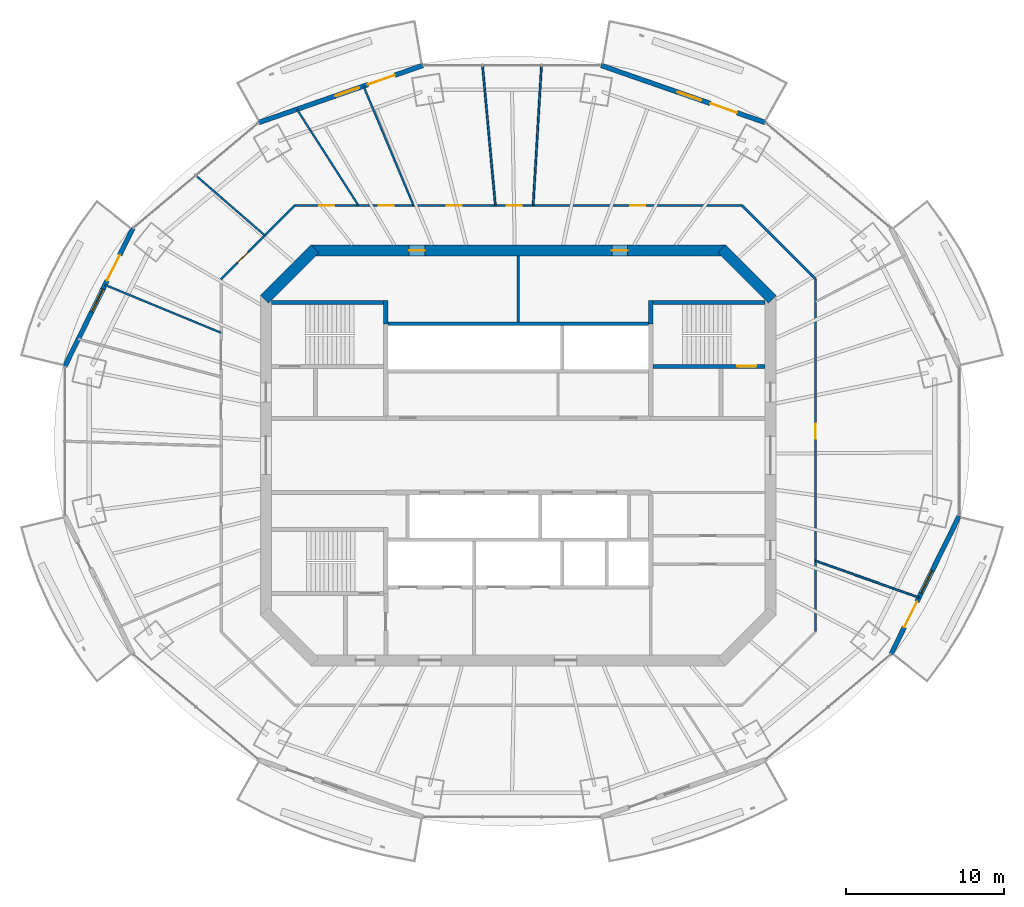
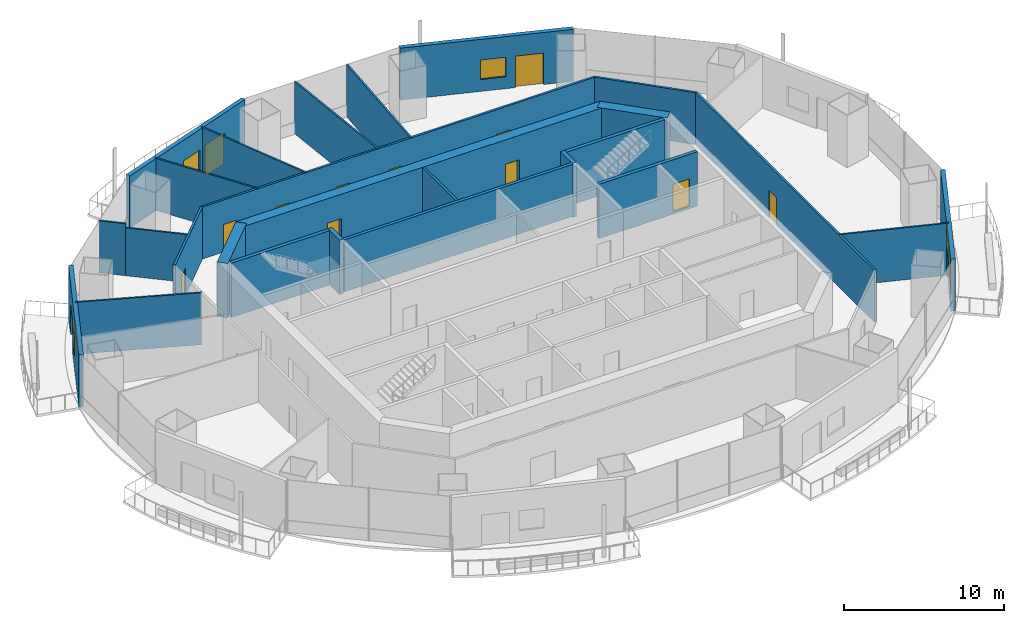
# One storey, part 10 of 16: 26 walls, 14 doors, 4 windows, 18 openings.
"""IFC4 building model written with IfcOpenShell, lengths in metres."""

from ifc_helpers import new_model, si_unit, direction, frame, frame_2d, origin, place, context, subcontext, project, spatial, rectangle, extrude, material, layer, layer_set, type_object, element, fill, save


model = new_model("IFC4")

# Units and contexts
model_context = context("Model", 3, precision=1e-05, world=origin(), true_north=direction((0.0, 1.0)))
body_context = subcontext(model_context, "Body", "Model", "MODEL_VIEW")
ifc_project = project(units=[si_unit("LENGTHUNIT", "METRE"), si_unit("AREAUNIT", "SQUARE_METRE"), si_unit("VOLUMEUNIT", "CUBIC_METRE"), si_unit("PLANEANGLEUNIT", "RADIAN"), si_unit("MASSUNIT", "GRAM", prefix="KILO")], contexts=[model_context])

# Site, building, storey
site_placement = place(None, origin())
site = spatial("IfcSite", under=ifc_project, at=site_placement, CompositionType="ELEMENT")
building_placement = place(site_placement, origin())
building = spatial("IfcBuilding", under=site, at=building_placement, Name="Marenthal Gate Tower", CompositionType="ELEMENT")
storey_placement = place(building_placement, frame((0.0, 0.0, 284.5)))
storey = spatial("IfcBuildingStorey", under=building, at=storey_placement, Name="L63", CompositionType="ELEMENT", Elevation=284.5)

# Wall
ifc_material_1 = material(Name="Concrete 60 MPa", Category="concrete")
ifc_layer_1 = layer(ifc_material_1, 0.699951171875)
ifc_layer_set_1 = layer_set([ifc_layer_1], Name="Core shear wall 700")
wall_type_1 = type_object("IfcWallType", Name="Core shear wall 700", PredefinedType="SHEAR", material=ifc_layer_set_1)
wall_1_placement = place(storey_placement, frame((16.1025390625, 9.8974609375, -0.179931640625), z_axis=(0.0, 0.0, 1.0), x_axis=(-0.707106781187, 0.707106781187, 0.0)))
element("IfcWall", 1, at=wall_1_placement, inside=storey, type_object=wall_type_1, Name="Core wall 03", PredefinedType="SHEAR", context=body_context, shape_type="SweptSolid", body=[
    extrude(rectangle(XDim=4.53271484375, YDim=0.699951171875, at=frame_2d((2.266357421875, 0.0))), origin(), (0.0, 0.0, 1.0), 4.14990234375),
])

# Wall, openings, doors
wall_2_placement = place(storey_placement, frame((13.14501953125, 13.0, -0.179931640625), z_axis=(0.0, 0.0, 1.0), x_axis=(-1.0, 0.0, 0.0)))
wall_2 = element("IfcWall", 2, at=wall_2_placement, inside=storey, type_object=wall_type_1, Name="Core wall 04", PredefinedType="SHEAR", context=body_context, shape_type="SweptSolid", body=[
    extrude(rectangle(XDim=26.2900390625, YDim=0.699951171875, at=frame_2d((13.14501953125, 0.0))), origin(), (0.0, 0.0, 1.0), 4.14990234375),
])
opening_1_placement = place(wall_2_placement, frame((19.07275390625, 0.0, 0.179931640625)))
opening_1 = element("IfcOpeningElement", 3, at=opening_1_placement, cuts=wall_2, Name="Opening D005.03", PredefinedType="OPENING", context=body_context, shape_type="SweptSolid", body=[
    extrude(rectangle(XDim=1.0, YDim=2.10009765625, at=frame_2d((0.5, 1.050048828125))), frame((0.0, 0.35986328125, 0.0), z_axis=(0.0, -1.0, 0.0), x_axis=(1.0, 0.0, 0.0)), (0.0, 0.0, 1.0), 0.719970703125),
])
opening_2_placement = place(wall_2_placement, frame((6.21728515625, 0.0, 0.179931640625)))
opening_2 = element("IfcOpeningElement", 4, at=opening_2_placement, cuts=wall_2, Name="Opening D005.04", PredefinedType="OPENING", context=body_context, shape_type="SweptSolid", body=[
    extrude(rectangle(XDim=1.0, YDim=2.10009765625, at=frame_2d((0.5, 1.050048828125))), frame((0.0, 0.35986328125, 0.0), z_axis=(0.0, -1.0, 0.0), x_axis=(1.0, 0.0, 0.0)), (0.0, 0.0, 1.0), 0.719970703125),
])
ifc_material_2 = material(Name="Steel fire door", Category="steel")
door_type_1 = type_object("IfcDoorType", Name="Fire door FD 45 1000 x 2100", OperationType="NOTDEFINED", PredefinedType="DOOR", material=ifc_material_2)
door_1_placement = place(opening_1_placement, origin())
door_1 = element("IfcDoor", 5, at=door_1_placement, inside=storey, type_object=door_type_1, Name="Door D005.03", OperationType="SINGLE_SWING_RIGHT", OverallHeight=2.10009765625, OverallWidth=1.0, PredefinedType="DOOR", context=body_context, shape_type="SweptSolid", body=[
    extrude(rectangle(XDim=1.0, YDim=2.10009765625, at=frame_2d((0.5, 1.050048828125))), frame((0.0, 0.02490234375, 0.0), z_axis=(0.0, -1.0, 0.0), x_axis=(1.0, 0.0, 0.0)), (0.0, 0.0, 1.0), 0.050048828125),
])
fill(opening_1, door_1)
door_2_placement = place(opening_2_placement, origin())
door_2 = element("IfcDoor", 6, at=door_2_placement, inside=storey, type_object=door_type_1, Name="Door D005.04", OperationType="SINGLE_SWING_RIGHT", OverallHeight=2.10009765625, OverallWidth=1.0, PredefinedType="DOOR", context=body_context, shape_type="SweptSolid", body=[
    extrude(rectangle(XDim=1.0, YDim=2.10009765625, at=frame_2d((0.5, 1.050048828125))), frame((0.0, 0.02490234375, 0.0), z_axis=(0.0, -1.0, 0.0), x_axis=(1.0, 0.0, 0.0)), (0.0, 0.0, 1.0), 0.050048828125),
])
fill(opening_2, door_2)

# Walls
wall_3_placement = place(storey_placement, frame((-12.8974609375, 13.1025390625, -0.179931640625), z_axis=(0.0, 0.0, 1.0), x_axis=(-0.707106781187, -0.707106781187, 0.0)))
element("IfcWall", 7, at=wall_3_placement, inside=storey, type_object=wall_type_1, Name="Core wall 05", PredefinedType="SHEAR", context=body_context, shape_type="SweptSolid", body=[
    extrude(rectangle(XDim=4.53271484375, YDim=0.699951171875, at=frame_2d((2.266357421875, 0.0))), origin(), (0.0, 0.0, 1.0), 4.14990234375),
])
ifc_material_3 = material(Name="Concrete 40 MPa", Category="concrete")
ifc_layer_2 = layer(ifc_material_3, 0.219970703125)
ifc_layer_set_2 = layer_set([ifc_layer_2], Name="Hoistway wall 220")
wall_type_2 = type_object("IfcWallType", Name="Hoistway wall 220", PredefinedType="STANDARD", material=ifc_layer_set_2)
wall_4_placement = place(storey_placement, frame((-8.25, 8.35009765625, 0.0), z_axis=(0.0, 0.0, 1.0), x_axis=(1.0, 0.0, 0.0)))
element("IfcWall", 8, at=wall_4_placement, inside=storey, type_object=wall_type_2, Name="Hoistway wall 25", PredefinedType="STANDARD", context=body_context, shape_type="SweptSolid", body=[
    extrude(rectangle(XDim=16.5, YDim=0.219970703125, at=frame_2d((8.25, 0.0))), origin(), (0.0, 0.0, 1.0), 3.969970703125),
])
ifc_material_4 = material(Name="Gypsum board on steel studs", Category="steel")
ifc_layer_3 = layer(ifc_material_4, 0.1201171875)
ifc_layer_set_3 = layer_set([ifc_layer_3], Name="Partition 120")
wall_type_3 = type_object("IfcWallType", Name="Partition 120", PredefinedType="PARTITIONING", material=ifc_layer_set_3)
wall_5_placement = place(storey_placement, frame((-18.85009765625, 7.776611328125, 0.0), z_axis=(0.0, 0.0, 1.0), x_axis=(-0.924418879756, 0.381378728759, 0.0)))
element("IfcWall", 9, at=wall_5_placement, inside=storey, type_object=wall_type_3, Name="Partition wall 53", PredefinedType="PARTITIONING", context=body_context, shape_type="SweptSolid", body=[
    extrude(rectangle(XDim=7.96484375, YDim=0.1201171875, at=frame_2d((3.982421875, 0.0))), origin(), (0.0, 0.0, 1.0), 3.969970703125),
])
wall_6_placement = place(storey_placement, frame((-16.076416015625, 13.9541015625, 0.0), z_axis=(0.0, 0.0, 1.0), x_axis=(-0.755226494758, 0.655463913283, 0.0)))
element("IfcWall", 10, at=wall_6_placement, inside=storey, type_object=wall_type_3, Name="Partition wall 55", PredefinedType="PARTITIONING", context=body_context, shape_type="SweptSolid", body=[
    extrude(rectangle(XDim=4.111328125, YDim=0.1201171875, at=frame_2d((2.0556640625, 0.0))), origin(), (0.0, 0.0, 1.0), 3.659912109375),
])
wall_7_placement = place(storey_placement, frame((-19.181396484375, 16.64892578125, 0.0), z_axis=(0.0, 0.0, 1.0), x_axis=(-0.755144367742, 0.655558528178, 0.0)))
element("IfcWall", 11, at=wall_7_placement, inside=storey, type_object=wall_type_3, Name="Partition wall 69", PredefinedType="PARTITIONING", context=body_context, shape_type="SweptSolid", body=[
    extrude(rectangle(XDim=1.686767578125, YDim=0.1201171875, at=frame_2d((0.84326171875, 0.0))), origin(), (0.0, 0.0, 1.0), 3.969970703125),
])
wall_8_placement = place(storey_placement, frame((-10.13720703125, 15.85009765625, 0.0), z_axis=(0.0, 0.0, 1.0), x_axis=(-0.538802115327, 0.84243235961, 0.0)))
element("IfcWall", 12, at=wall_8_placement, inside=storey, type_object=wall_type_3, Name="Partition wall 58", PredefinedType="PARTITIONING", context=body_context, shape_type="SweptSolid", body=[
    extrude(rectangle(XDim=7.2431640625, YDim=0.1201171875, at=frame_2d((3.62158203125, 0.0))), origin(), (0.0, 0.0, 1.0), 3.969970703125),
])
wall_9_placement = place(storey_placement, frame((-6.64501953125, 15.85009765625, 0.0), z_axis=(0.0, 0.0, 1.0), x_axis=(-0.386671197164, 0.92221764529, 0.0)))
element("IfcWall", 13, at=wall_9_placement, inside=storey, type_object=wall_type_3, Name="Partition wall 59", PredefinedType="PARTITIONING", context=body_context, shape_type="SweptSolid", body=[
    extrude(rectangle(XDim=8.209228515625, YDim=0.1201171875, at=frame_2d((4.1044921875, 0.0))), origin(), (0.0, 0.0, 1.0), 3.969970703125),
])
wall_10_placement = place(storey_placement, frame((-1.454833984375, 15.85009765625, 0.0), z_axis=(0.0, 0.0, 1.0), x_axis=(-0.091408981172, 0.995813435419, 0.0)))
element("IfcWall", 14, at=wall_10_placement, inside=storey, type_object=wall_type_3, Name="Partition wall 60", PredefinedType="PARTITIONING", context=body_context, shape_type="SweptSolid", body=[
    extrude(rectangle(XDim=8.92333984375, YDim=0.1201171875, at=frame_2d((4.461669921875, 0.0))), origin(), (0.0, 0.0, 1.0), 3.969970703125),
])
wall_11_placement = place(storey_placement, frame((0.942138671875, 15.85009765625, 0.0), z_axis=(0.0, 0.0, 1.0), x_axis=(0.059350641377, 0.998237196947, 0.0)))
element("IfcWall", 15, at=wall_11_placement, inside=storey, type_object=wall_type_3, Name="Partition wall 61", PredefinedType="PARTITIONING", context=body_context, shape_type="SweptSolid", body=[
    extrude(rectangle(XDim=8.901611328125, YDim=0.1201171875, at=frame_2d((4.45068359375, 0.0))), origin(), (0.0, 0.0, 1.0), 3.969970703125),
])
wall_12_placement = place(storey_placement, frame((18.85009765625, -6.686279296875, 0.0), z_axis=(0.0, 0.0, 1.0), x_axis=(0.942465522023, -0.334303364923, 0.0)))
element("IfcWall", 16, at=wall_12_placement, inside=storey, type_object=wall_type_3, Name="Partition wall 66", PredefinedType="PARTITIONING", context=body_context, shape_type="SweptSolid", body=[
    extrude(rectangle(XDim=6.96337890625, YDim=0.1201171875, at=frame_2d((3.481689453125, 0.0))), origin(), (0.0, 0.0, 1.0), 3.969970703125),
])
ifc_material_5 = material(Name="Gypsum board on steel studs", Category="steel")
ifc_layer_4 = layer(ifc_material_5, 0.14990234375)
ifc_layer_set_4 = layer_set([ifc_layer_4], Name="Partition 150")
wall_type_4 = type_object("IfcWallType", Name="Partition 150", PredefinedType="PARTITIONING", material=ifc_layer_set_4)
wall_13_placement = place(storey_placement, frame((0.0, 8.4599609375, 0.0), z_axis=(0.0, 0.0, 1.0), x_axis=(0.0, 1.0, 0.0)))
element("IfcWall", 17, at=wall_13_placement, inside=storey, type_object=wall_type_4, Name="Partition wall 37", PredefinedType="PARTITIONING", context=body_context, shape_type="SweptSolid", body=[
    extrude(rectangle(XDim=4.18994140625, YDim=0.14990234375, at=frame_2d((2.094970703125, 0.0))), origin(), (0.0, 0.0, 1.0), 3.969970703125),
])

# Wall, opening, door
wall_14_placement = place(storey_placement, frame((-18.85009765625, 11.180419921875, 0.0), z_axis=(0.0, 0.0, 1.0), x_axis=(0.707106781187, 0.707106781187, 0.0)))
wall_14 = element("IfcWall", 18, at=wall_14_placement, inside=storey, type_object=wall_type_4, Name="Partition wall 54", PredefinedType="PARTITIONING", context=body_context, shape_type="SweptSolid", body=[
    extrude(rectangle(XDim=6.60400390625, YDim=0.14990234375, at=frame_2d((3.302001953125, 0.0))), origin(), (0.0, 0.0, 1.0), 3.969970703125),
])
opening_3_placement = place(wall_14_placement, frame((1.486083984375, 0.0, 0.0)))
opening_3 = element("IfcOpeningElement", 19, at=opening_3_placement, cuts=wall_14, Name="Opening D016.06", PredefinedType="OPENING", context=body_context, shape_type="SweptSolid", body=[
    extrude(rectangle(XDim=0.949951171875, YDim=2.10009765625, at=frame_2d((0.47509765625, 1.050048828125))), frame((0.0, 0.0849609375, 0.0), z_axis=(0.0, -1.0, 0.0), x_axis=(1.0, 0.0, 0.0)), (0.0, 0.0, 1.0), 0.169921875),
])
ifc_material_6 = material(Name="Timber door", Category="wood")
door_type_2 = type_object("IfcDoorType", Name="Door 950 x 2100", OperationType="NOTDEFINED", PredefinedType="DOOR", material=ifc_material_6)
door_3_placement = place(opening_3_placement, origin())
door_3 = element("IfcDoor", 20, at=door_3_placement, inside=storey, type_object=door_type_2, Name="Door D016.06", OperationType="SINGLE_SWING_RIGHT", OverallHeight=2.10009765625, OverallWidth=0.949951171875, PredefinedType="DOOR", context=body_context, shape_type="SweptSolid", body=[
    extrude(rectangle(XDim=0.949951171875, YDim=2.10009765625, at=frame_2d((0.47509765625, 1.050048828125))), frame((0.0, 0.02490234375, 0.0), z_axis=(0.0, -1.0, 0.0), x_axis=(1.0, 0.0, 0.0)), (0.0, 0.0, 1.0), 0.050048828125),
])
fill(opening_3, door_3)

# Wall, openings, doors
wall_15_placement = place(storey_placement, frame((-14.180419921875, 15.85009765625, 0.0), z_axis=(0.0, 0.0, 1.0), x_axis=(1.0, 0.0, 0.0)))
wall_15 = element("IfcWall", 21, at=wall_15_placement, inside=storey, type_object=wall_type_4, Name="Partition wall 57", PredefinedType="PARTITIONING", context=body_context, shape_type="SweptSolid", body=[
    extrude(rectangle(XDim=28.36083984375, YDim=0.14990234375, at=frame_2d((14.180419921875, 0.0))), origin(), (0.0, 0.0, 1.0), 3.969970703125),
])
opening_4_placement = place(wall_15_placement, frame((21.26708984375, 0.0, 0.0)))
opening_4 = element("IfcOpeningElement", 22, at=opening_4_placement, cuts=wall_15, Name="Opening D016.01", PredefinedType="OPENING", context=body_context, shape_type="SweptSolid", body=[
    extrude(rectangle(XDim=0.949951171875, YDim=2.10009765625, at=frame_2d((0.47509765625, 1.050048828125))), frame((0.0, 0.0849609375, 0.0), z_axis=(0.0, -1.0, 0.0), x_axis=(1.0, 0.0, 0.0)), (0.0, 0.0, 1.0), 0.169921875),
])
opening_5_placement = place(wall_15_placement, frame((13.448974609375, 0.0, 0.0)))
opening_5 = element("IfcOpeningElement", 23, at=opening_5_placement, cuts=wall_15, Name="Opening D016.02", PredefinedType="OPENING", context=body_context, shape_type="SweptSolid", body=[
    extrude(rectangle(XDim=0.949951171875, YDim=2.10009765625, at=frame_2d((0.47509765625, 1.050048828125))), frame((0.0, 0.0849609375, 0.0), z_axis=(0.0, -1.0, 0.0), x_axis=(1.0, 0.0, 0.0)), (0.0, 0.0, 1.0), 0.169921875),
])
opening_6_placement = place(wall_15_placement, frame((9.655029296875, 0.0, 0.0)))
opening_6 = element("IfcOpeningElement", 24, at=opening_6_placement, cuts=wall_15, Name="Opening D016.03", PredefinedType="OPENING", context=body_context, shape_type="SweptSolid", body=[
    extrude(rectangle(XDim=0.949951171875, YDim=2.10009765625, at=frame_2d((0.47509765625, 1.050048828125))), frame((0.0, 0.0849609375, 0.0), z_axis=(0.0, -1.0, 0.0), x_axis=(1.0, 0.0, 0.0)), (0.0, 0.0, 1.0), 0.169921875),
])
opening_7_placement = place(wall_15_placement, frame((5.31494140625, 0.0, 0.0)))
opening_7 = element("IfcOpeningElement", 25, at=opening_7_placement, cuts=wall_15, Name="Opening D016.04", PredefinedType="OPENING", context=body_context, shape_type="SweptSolid", body=[
    extrude(rectangle(XDim=0.949951171875, YDim=2.10009765625, at=frame_2d((0.47509765625, 1.050048828125))), frame((0.0, 0.0849609375, 0.0), z_axis=(0.0, -1.0, 0.0), x_axis=(1.0, 0.0, 0.0)), (0.0, 0.0, 1.0), 0.169921875),
])
opening_8_placement = place(wall_15_placement, frame((1.547119140625, 0.0, 0.0)))
opening_8 = element("IfcOpeningElement", 26, at=opening_8_placement, cuts=wall_15, Name="Opening D016.05", PredefinedType="OPENING", context=body_context, shape_type="SweptSolid", body=[
    extrude(rectangle(XDim=0.949951171875, YDim=2.10009765625, at=frame_2d((0.47509765625, 1.050048828125))), frame((0.0, 0.0849609375, 0.0), z_axis=(0.0, -1.0, 0.0), x_axis=(1.0, 0.0, 0.0)), (0.0, 0.0, 1.0), 0.169921875),
])
door_4_placement = place(opening_4_placement, frame((0.949951171875, 0.0, 0.0), z_axis=(0.0, 0.0, 1.0), x_axis=(-1.0, 0.0, 0.0)))
door_4 = element("IfcDoor", 27, at=door_4_placement, inside=storey, type_object=door_type_2, Name="Door D016.01", OperationType="SINGLE_SWING_LEFT", OverallHeight=2.10009765625, OverallWidth=0.949951171875, PredefinedType="DOOR", context=body_context, shape_type="SweptSolid", body=[
    extrude(rectangle(XDim=0.949951171875, YDim=2.10009765625, at=frame_2d((0.47509765625, 1.050048828125))), frame((0.0, 0.02490234375, 0.0), z_axis=(0.0, -1.0, 0.0), x_axis=(1.0, 0.0, 0.0)), (0.0, 0.0, 1.0), 0.050048828125),
])
fill(opening_4, door_4)
door_5_placement = place(opening_5_placement, origin())
door_5 = element("IfcDoor", 28, at=door_5_placement, inside=storey, type_object=door_type_2, Name="Door D016.02", OperationType="SINGLE_SWING_RIGHT", OverallHeight=2.10009765625, OverallWidth=0.949951171875, PredefinedType="DOOR", context=body_context, shape_type="SweptSolid", body=[
    extrude(rectangle(XDim=0.949951171875, YDim=2.10009765625, at=frame_2d((0.47509765625, 1.050048828125))), frame((0.0, 0.02490234375, 0.0), z_axis=(0.0, -1.0, 0.0), x_axis=(1.0, 0.0, 0.0)), (0.0, 0.0, 1.0), 0.050048828125),
])
fill(opening_5, door_5)
door_6_placement = place(opening_6_placement, origin())
door_6 = element("IfcDoor", 29, at=door_6_placement, inside=storey, type_object=door_type_2, Name="Door D016.03", OperationType="SINGLE_SWING_RIGHT", OverallHeight=2.10009765625, OverallWidth=0.949951171875, PredefinedType="DOOR", context=body_context, shape_type="SweptSolid", body=[
    extrude(rectangle(XDim=0.949951171875, YDim=2.10009765625, at=frame_2d((0.47509765625, 1.050048828125))), frame((0.0, 0.02490234375, 0.0), z_axis=(0.0, -1.0, 0.0), x_axis=(1.0, 0.0, 0.0)), (0.0, 0.0, 1.0), 0.050048828125),
])
fill(opening_6, door_6)
door_7_placement = place(opening_7_placement, origin())
door_7 = element("IfcDoor", 30, at=door_7_placement, inside=storey, type_object=door_type_2, Name="Door D016.04", OperationType="SINGLE_SWING_RIGHT", OverallHeight=2.10009765625, OverallWidth=0.949951171875, PredefinedType="DOOR", context=body_context, shape_type="SweptSolid", body=[
    extrude(rectangle(XDim=0.949951171875, YDim=2.10009765625, at=frame_2d((0.47509765625, 1.050048828125))), frame((0.0, 0.02490234375, 0.0), z_axis=(0.0, -1.0, 0.0), x_axis=(1.0, 0.0, 0.0)), (0.0, 0.0, 1.0), 0.050048828125),
])
fill(opening_7, door_7)
door_8_placement = place(opening_8_placement, origin())
door_8 = element("IfcDoor", 31, at=door_8_placement, inside=storey, type_object=door_type_2, Name="Door D016.05", OperationType="SINGLE_SWING_RIGHT", OverallHeight=2.10009765625, OverallWidth=0.949951171875, PredefinedType="DOOR", context=body_context, shape_type="SweptSolid", body=[
    extrude(rectangle(XDim=0.949951171875, YDim=2.10009765625, at=frame_2d((0.47509765625, 1.050048828125))), frame((0.0, 0.02490234375, 0.0), z_axis=(0.0, -1.0, 0.0), x_axis=(1.0, 0.0, 0.0)), (0.0, 0.0, 1.0), 0.050048828125),
])
fill(opening_8, door_8)

# Wall
wall_16_placement = place(storey_placement, frame((14.180419921875, 15.85009765625, 0.0), z_axis=(0.0, 0.0, 1.0), x_axis=(0.707106781187, -0.707106781187, 0.0)))
element("IfcWall", 32, at=wall_16_placement, inside=storey, type_object=wall_type_4, Name="Partition wall 64", PredefinedType="PARTITIONING", context=body_context, shape_type="SweptSolid", body=[
    extrude(rectangle(XDim=6.60400390625, YDim=0.14990234375, at=frame_2d((3.302001953125, 0.0))), origin(), (0.0, 0.0, 1.0), 3.969970703125),
])

# Wall, opening, door
wall_17_placement = place(storey_placement, frame((18.85009765625, 11.180419921875, 0.0), z_axis=(0.0, 0.0, 1.0), x_axis=(0.0, -1.0, 0.0)))
wall_17 = element("IfcWall", 33, at=wall_17_placement, inside=storey, type_object=wall_type_4, Name="Partition wall 68", PredefinedType="PARTITIONING", context=body_context, shape_type="SweptSolid", body=[
    extrude(rectangle(XDim=22.36083984375, YDim=0.14990234375, at=frame_2d((11.180419921875, 0.0))), origin(), (0.0, 0.0, 1.0), 3.969970703125),
])
opening_9_placement = place(wall_17_placement, frame((9.175048828125, 0.0, 0.0)))
opening_9 = element("IfcOpeningElement", 34, at=opening_9_placement, cuts=wall_17, Name="Opening D016.10", PredefinedType="OPENING", context=body_context, shape_type="SweptSolid", body=[
    extrude(rectangle(XDim=0.949951171875, YDim=2.10009765625, at=frame_2d((0.47509765625, 1.050048828125))), frame((0.0, 0.0849609375, 0.0), z_axis=(0.0, -1.0, 0.0), x_axis=(1.0, 0.0, 0.0)), (0.0, 0.0, 1.0), 0.169921875),
])
door_9_placement = place(opening_9_placement, origin())
door_9 = element("IfcDoor", 35, at=door_9_placement, inside=storey, type_object=door_type_2, Name="Door D016.10", OperationType="SINGLE_SWING_RIGHT", OverallHeight=2.10009765625, OverallWidth=0.949951171875, PredefinedType="DOOR", context=body_context, shape_type="SweptSolid", body=[
    extrude(rectangle(XDim=0.949951171875, YDim=2.10009765625, at=frame_2d((0.47509765625, 1.050048828125))), frame((0.0, 0.02490234375, 0.0), z_axis=(0.0, -1.0, 0.0), x_axis=(1.0, 0.0, 0.0)), (0.0, 0.0, 1.0), 0.050048828125),
])
fill(opening_9, door_9)

ifc_material_7 = material(Name="Concrete 50 MPa", Category="concrete")
ifc_layer_5 = layer(ifc_material_7, 0.25)
ifc_layer_set_5 = layer_set([ifc_layer_5], Name="Stair shear wall 250")
wall_type_5 = type_object("IfcWallType", Name="Stair shear wall 250", PredefinedType="SHEAR", material=ifc_layer_set_5)
wall_18_placement = place(storey_placement, frame((8.550048828125, 5.64990234375, -0.179931640625), z_axis=(0.0, 0.0, 1.0), x_axis=(1.0, 0.0, 0.0)))
wall_18 = element("IfcWall", 36, at=wall_18_placement, inside=storey, type_object=wall_type_5, Name="Stair wall 24", PredefinedType="SHEAR", context=body_context, shape_type="SweptSolid", body=[
    extrude(rectangle(XDim=7.099853515625, YDim=0.25, at=frame_2d((3.5498046875, 0.0))), origin(), (0.0, 0.0, 1.0), 4.14990234375),
])
opening_10_placement = place(wall_18_placement, frame((5.35009765625, 0.0, 0.179931640625)))
opening_10 = element("IfcOpeningElement", 37, at=opening_10_placement, cuts=wall_18, Name="Opening D001.02", PredefinedType="OPENING", context=body_context, shape_type="SweptSolid", body=[
    extrude(rectangle(XDim=1.199951171875, YDim=2.10009765625, at=frame_2d((0.60009765625, 1.050048828125))), frame((0.0, 0.135009765625, 0.0), z_axis=(0.0, -1.0, 0.0), x_axis=(1.0, 0.0, 0.0)), (0.0, 0.0, 1.0), 0.27001953125),
])
ifc_material_8 = material(Name="Steel fire door", Category="steel")
door_type_3 = type_object("IfcDoorType", Name="Fire door FD 90 1200 x 2100", OperationType="NOTDEFINED", PredefinedType="DOOR", material=ifc_material_8)
door_10_placement = place(opening_10_placement, origin())
door_10 = element("IfcDoor", 38, at=door_10_placement, inside=storey, type_object=door_type_3, Name="Door D001.02", OperationType="SINGLE_SWING_RIGHT", OverallHeight=2.10009765625, OverallWidth=1.199951171875, PredefinedType="DOOR", context=body_context, shape_type="SweptSolid", body=[
    extrude(rectangle(XDim=1.199951171875, YDim=2.10009765625, at=frame_2d((0.60009765625, 1.050048828125))), frame((0.0, 0.02490234375, 0.0), z_axis=(0.0, -1.0, 0.0), x_axis=(1.0, 0.0, 0.0)), (0.0, 0.0, 1.0), 0.050048828125),
])
fill(opening_10, door_10)

# Walls
for number, where, z_axis, x_axis, name in (
    (39, (-15.64990234375, 9.699951171875, -0.179931640625), (0.0, 0.0, 1.0), (1.0, 0.0, 0.0), "Stair wall 26"),
    (40, (8.550048828125, 9.699951171875, -0.179931640625), (0.0, 0.0, 1.0), (1.0, 0.0, 0.0), "Stair wall 27"),
):
    element("IfcWall", number, at=place(storey_placement, frame(where, z_axis=z_axis, x_axis=x_axis)), inside=storey, type_object=wall_type_5, Name=name, PredefinedType="SHEAR", context=body_context, shape_type="SweptSolid", body=[
        extrude(rectangle(XDim=7.099853515625, YDim=0.25, at=frame_2d((3.5498046875, 0.0))), origin(), (0.0, 0.0, 1.0), 4.14990234375),
    ])
ifc_material_9 = material(Name="Concrete 50 MPa", Category="concrete")
ifc_layer_6 = layer(ifc_material_9, 0.300048828125)
ifc_layer_set_6 = layer_set([ifc_layer_6], Name="Stair shear wall 300")
wall_type_6 = type_object("IfcWallType", Name="Stair shear wall 300", PredefinedType="SHEAR", material=ifc_layer_set_6)
for number, where, z_axis, x_axis, name in (
    (41, (-8.39990234375, 8.35009765625, -0.179931640625), (0.0, 0.0, 1.0), (0.0, 1.0, 0.0), "Stair wall 33"),
    (42, (8.39990234375, 8.35009765625, -0.179931640625), (0.0, 0.0, 1.0), (0.0, 1.0, 0.0), "Stair wall 47"),
):
    element("IfcWall", number, at=place(storey_placement, frame(where, z_axis=z_axis, x_axis=x_axis)), inside=storey, type_object=wall_type_6, Name=name, PredefinedType="SHEAR", context=body_context, shape_type="SweptSolid", body=[
        extrude(rectangle(XDim=1.474853515625, YDim=0.300048828125, at=frame_2d((0.7373046875, 0.0))), origin(), (0.0, 0.0, 1.0), 4.14990234375),
    ])

# Wall, openings, door, window
ifc_material_10 = material(Name="Terracotta cladding on insulated concrete-block backing", Category="masonry")
ifc_layer_7 = layer(ifc_material_10, 0.300048828125)
ifc_layer_set_7 = layer_set([ifc_layer_7], Name="Terracotta facade wall 300")
wall_type_7 = type_object("IfcWallType", Name="Terracotta facade wall 300", PredefinedType="SOLIDWALL", material=ifc_layer_set_7)
wall_19_placement = place(storey_placement, frame((15.666015625, 21.107177734375, 0.0), z_axis=(0.0, 0.0, 1.0), x_axis=(-0.94441082719, 0.328767683155, 0.0)))
wall_19 = element("IfcWall", 43, at=wall_19_placement, inside=storey, type_object=wall_type_7, Name="Terracotta facade wall L63 bay 3", PredefinedType="SOLIDWALL", context=body_context, shape_type="SweptSolid", body=[
    extrude(rectangle(XDim=11.037841796875, YDim=0.300048828125, at=frame_2d((5.51904296875, 0.0))), origin(), (0.0, 0.0, 1.0), 3.969970703125),
])
opening_11_placement = place(wall_19_placement, frame((1.89990234375, 0.0, 0.0)))
opening_11 = element("IfcOpeningElement", 44, at=opening_11_placement, cuts=wall_19, Name="Opening BD-L63-03", PredefinedType="OPENING", context=body_context, shape_type="SweptSolid", body=[
    extrude(rectangle(XDim=1.800048828125, YDim=2.39990234375, at=frame_2d((0.89990234375, 1.199951171875))), frame((0.0, 0.16015625, 0.0), z_axis=(0.0, -1.0, 0.0), x_axis=(1.0, 0.0, 0.0)), (0.0, 0.0, 1.0), 0.320068359375),
])
opening_12_placement = place(wall_19_placement, frame((4.300048828125, 0.0, 0.89990234375)))
opening_12 = element("IfcOpeningElement", 45, at=opening_12_placement, cuts=wall_19, Name="Opening WN3-L63-03", PredefinedType="OPENING", context=body_context, shape_type="SweptSolid", body=[
    extrude(rectangle(XDim=1.60009765625, YDim=1.5, at=frame_2d((0.800048828125, 0.75))), frame((0.0, 0.16015625, 0.0), z_axis=(0.0, -1.0, 0.0), x_axis=(1.0, 0.0, 0.0)), (0.0, 0.0, 1.0), 0.320068359375),
])
ifc_material_11 = material(Name="Aluminium and glass", Category="aluminium")
door_type_4 = type_object("IfcDoorType", Name="Balcony door 1800x2400", OperationType="DOUBLE_DOOR_SINGLE_SWING", PredefinedType="DOOR", material=ifc_material_11)
door_11_placement = place(opening_11_placement, origin())
door_11 = element("IfcDoor", 46, at=door_11_placement, inside=storey, type_object=door_type_4, Name="Balcony door L63 bay 3", OperationType="SINGLE_SWING_LEFT", OverallHeight=2.39990234375, OverallWidth=1.800048828125, PredefinedType="DOOR", context=body_context, shape_type="SweptSolid", body=[
    extrude(rectangle(XDim=1.800048828125, YDim=2.39990234375, at=frame_2d((0.89990234375, 1.199951171875))), frame((0.0, 0.02490234375, 0.0), z_axis=(0.0, -1.0, 0.0), x_axis=(1.0, 0.0, 0.0)), (0.0, 0.0, 1.0), 0.050048828125),
])
fill(opening_11, door_11)
ifc_material_12 = material(Name="Aluminium and glass", Category="aluminium")
window_type = type_object("IfcWindowType", Name="Window 1600x1500", PartitioningType="DOUBLE_PANEL_VERTICAL", PredefinedType="WINDOW", material=ifc_material_12)
window_1_placement = place(opening_12_placement, origin())
window_1 = element("IfcWindow", 47, at=window_1_placement, inside=storey, type_object=window_type, Name="Window L63 bay 3", OverallHeight=1.5, OverallWidth=1.60009765625, PartitioningType="SINGLE_PANEL", PredefinedType="WINDOW", context=body_context, shape_type="SweptSolid", body=[
    extrude(rectangle(XDim=1.60009765625, YDim=1.5, at=frame_2d((0.800048828125, 0.75))), frame((0.0, 0.030029296875, 0.0), z_axis=(0.0, -1.0, 0.0), x_axis=(1.0, 0.0, 0.0)), (0.0, 0.0, 1.0), 0.06005859375),
])
fill(opening_12, window_1)

wall_20_placement = place(storey_placement, frame((-6.04150390625, 24.736083984375, 0.0), z_axis=(0.0, 0.0, 1.0), x_axis=(-0.944413217851, -0.328760815713, 0.0)))
wall_20 = element("IfcWall", 48, at=wall_20_placement, inside=storey, type_object=wall_type_7, Name="Terracotta facade wall L63 bay 5", PredefinedType="SOLIDWALL", context=body_context, shape_type="SweptSolid", body=[
    extrude(rectangle(XDim=11.0380859375, YDim=0.300048828125, at=frame_2d((5.51904296875, 0.0))), origin(), (0.0, 0.0, 1.0), 3.969970703125),
])
opening_13_placement = place(wall_20_placement, frame((1.89990234375, 0.0, 0.0)))
opening_13 = element("IfcOpeningElement", 49, at=opening_13_placement, cuts=wall_20, Name="Opening BD-L63-05", PredefinedType="OPENING", context=body_context, shape_type="SweptSolid", body=[
    extrude(rectangle(XDim=1.800048828125, YDim=2.39990234375, at=frame_2d((0.89990234375, 1.199951171875))), frame((0.0, 0.16015625, 0.0), z_axis=(0.0, -1.0, 0.0), x_axis=(1.0, 0.0, 0.0)), (0.0, 0.0, 1.0), 0.320068359375),
])
opening_14_placement = place(wall_20_placement, frame((4.300048828125, 0.0, 0.89990234375)))
opening_14 = element("IfcOpeningElement", 50, at=opening_14_placement, cuts=wall_20, Name="Opening WN3-L63-05", PredefinedType="OPENING", context=body_context, shape_type="SweptSolid", body=[
    extrude(rectangle(XDim=1.60009765625, YDim=1.5, at=frame_2d((0.800048828125, 0.75))), frame((0.0, 0.16015625, 0.0), z_axis=(0.0, -1.0, 0.0), x_axis=(1.0, 0.0, 0.0)), (0.0, 0.0, 1.0), 0.320068359375),
])
door_12_placement = place(opening_13_placement, origin())
door_12 = element("IfcDoor", 51, at=door_12_placement, inside=storey, type_object=door_type_4, Name="Balcony door L63 bay 5", OperationType="SINGLE_SWING_LEFT", OverallHeight=2.39990234375, OverallWidth=1.800048828125, PredefinedType="DOOR", context=body_context, shape_type="SweptSolid", body=[
    extrude(rectangle(XDim=1.800048828125, YDim=2.39990234375, at=frame_2d((0.89990234375, 1.199951171875))), frame((0.0, 0.02490234375, 0.0), z_axis=(0.0, -1.0, 0.0), x_axis=(1.0, 0.0, 0.0)), (0.0, 0.0, 1.0), 0.050048828125),
])
fill(opening_13, door_12)
window_2_placement = place(opening_14_placement, origin())
window_2 = element("IfcWindow", 52, at=window_2_placement, inside=storey, type_object=window_type, Name="Window L63 bay 5", OverallHeight=1.5, OverallWidth=1.60009765625, PartitioningType="SINGLE_PANEL", PredefinedType="WINDOW", context=body_context, shape_type="SweptSolid", body=[
    extrude(rectangle(XDim=1.60009765625, YDim=1.5, at=frame_2d((0.800048828125, 0.75))), frame((0.0, 0.030029296875, 0.0), z_axis=(0.0, -1.0, 0.0), x_axis=(1.0, 0.0, 0.0)), (0.0, 0.0, 1.0), 0.06005859375),
])
fill(opening_14, window_2)

wall_21_placement = place(storey_placement, frame((-24.4443359375, 14.402099609375, 0.0), z_axis=(0.0, 0.0, 1.0), x_axis=(-0.442086999908, -0.896972175997, 0.0)))
wall_21 = element("IfcWall", 53, at=wall_21_placement, inside=storey, type_object=wall_type_7, Name="Terracotta facade wall L63 bay 7", PredefinedType="SOLIDWALL", context=body_context, shape_type="SweptSolid", body=[
    extrude(rectangle(XDim=9.76708984375, YDim=0.300048828125, at=frame_2d((4.883544921875, 0.0))), origin(), (0.0, 0.0, 1.0), 3.969970703125),
])
opening_15_placement = place(wall_21_placement, frame((1.89990234375, 0.0, 0.0)))
opening_15 = element("IfcOpeningElement", 54, at=opening_15_placement, cuts=wall_21, Name="Opening BD-L63-07", PredefinedType="OPENING", context=body_context, shape_type="SweptSolid", body=[
    extrude(rectangle(XDim=1.800048828125, YDim=2.39990234375, at=frame_2d((0.89990234375, 1.199951171875))), frame((0.0, 0.16015625, 0.0), z_axis=(0.0, -1.0, 0.0), x_axis=(1.0, 0.0, 0.0)), (0.0, 0.0, 1.0), 0.320068359375),
])
opening_16_placement = place(wall_21_placement, frame((4.300048828125, 0.0, 0.89990234375)))
opening_16 = element("IfcOpeningElement", 55, at=opening_16_placement, cuts=wall_21, Name="Opening WN3-L63-07", PredefinedType="OPENING", context=body_context, shape_type="SweptSolid", body=[
    extrude(rectangle(XDim=1.60009765625, YDim=1.5, at=frame_2d((0.800048828125, 0.75))), frame((0.0, 0.16015625, 0.0), z_axis=(0.0, -1.0, 0.0), x_axis=(1.0, 0.0, 0.0)), (0.0, 0.0, 1.0), 0.320068359375),
])
door_13_placement = place(opening_15_placement, origin())
door_13 = element("IfcDoor", 56, at=door_13_placement, inside=storey, type_object=door_type_4, Name="Balcony door L63 bay 7", OperationType="SINGLE_SWING_LEFT", OverallHeight=2.39990234375, OverallWidth=1.800048828125, PredefinedType="DOOR", context=body_context, shape_type="SweptSolid", body=[
    extrude(rectangle(XDim=1.800048828125, YDim=2.39990234375, at=frame_2d((0.89990234375, 1.199951171875))), frame((0.0, 0.02490234375, 0.0), z_axis=(0.0, -1.0, 0.0), x_axis=(1.0, 0.0, 0.0)), (0.0, 0.0, 1.0), 0.050048828125),
])
fill(opening_15, door_13)
window_3_placement = place(opening_16_placement, origin())
window_3 = element("IfcWindow", 57, at=window_3_placement, inside=storey, type_object=window_type, Name="Window L63 bay 7", OverallHeight=1.5, OverallWidth=1.60009765625, PartitioningType="SINGLE_PANEL", PredefinedType="WINDOW", context=body_context, shape_type="SweptSolid", body=[
    extrude(rectangle(XDim=1.60009765625, YDim=1.5, at=frame_2d((0.800048828125, 0.75))), frame((0.0, 0.030029296875, 0.0), z_axis=(0.0, -1.0, 0.0), x_axis=(1.0, 0.0, 0.0)), (0.0, 0.0, 1.0), 0.06005859375),
])
fill(opening_16, window_3)

wall_22_placement = place(storey_placement, frame((23.644287109375, -12.60205078125, 0.0), z_axis=(0.0, 0.0, 1.0), x_axis=(0.442107110685, 0.8969622638, 0.0)))
wall_22 = element("IfcWall", 58, at=wall_22_placement, inside=storey, type_object=wall_type_7, Name="Terracotta facade wall L63 bay 15", PredefinedType="SOLIDWALL", context=body_context, shape_type="SweptSolid", body=[
    extrude(rectangle(XDim=9.76708984375, YDim=0.300048828125, at=frame_2d((4.883544921875, 0.0))), origin(), (0.0, 0.0, 1.0), 3.969970703125),
])
opening_17_placement = place(wall_22_placement, frame((1.89990234375, 0.0, 0.0)))
opening_17 = element("IfcOpeningElement", 59, at=opening_17_placement, cuts=wall_22, Name="Opening BD-L63-15", PredefinedType="OPENING", context=body_context, shape_type="SweptSolid", body=[
    extrude(rectangle(XDim=1.800048828125, YDim=2.39990234375, at=frame_2d((0.89990234375, 1.199951171875))), frame((0.0, 0.16015625, 0.0), z_axis=(0.0, -1.0, 0.0), x_axis=(1.0, 0.0, 0.0)), (0.0, 0.0, 1.0), 0.320068359375),
])
opening_18_placement = place(wall_22_placement, frame((4.300048828125, 0.0, 0.89990234375)))
opening_18 = element("IfcOpeningElement", 60, at=opening_18_placement, cuts=wall_22, Name="Opening WN3-L63-15", PredefinedType="OPENING", context=body_context, shape_type="SweptSolid", body=[
    extrude(rectangle(XDim=1.60009765625, YDim=1.5, at=frame_2d((0.800048828125, 0.75))), frame((0.0, 0.16015625, 0.0), z_axis=(0.0, -1.0, 0.0), x_axis=(1.0, 0.0, 0.0)), (0.0, 0.0, 1.0), 0.320068359375),
])
door_14_placement = place(opening_17_placement, origin())
door_14 = element("IfcDoor", 61, at=door_14_placement, inside=storey, type_object=door_type_4, Name="Balcony door L63 bay 15", OperationType="SINGLE_SWING_LEFT", OverallHeight=2.39990234375, OverallWidth=1.800048828125, PredefinedType="DOOR", context=body_context, shape_type="SweptSolid", body=[
    extrude(rectangle(XDim=1.800048828125, YDim=2.39990234375, at=frame_2d((0.89990234375, 1.199951171875))), frame((0.0, 0.02490234375, 0.0), z_axis=(0.0, -1.0, 0.0), x_axis=(1.0, 0.0, 0.0)), (0.0, 0.0, 1.0), 0.050048828125),
])
fill(opening_17, door_14)
window_4_placement = place(opening_18_placement, origin())
window_4 = element("IfcWindow", 62, at=window_4_placement, inside=storey, type_object=window_type, Name="Window L63 bay 15", OverallHeight=1.5, OverallWidth=1.60009765625, PartitioningType="SINGLE_PANEL", PredefinedType="WINDOW", context=body_context, shape_type="SweptSolid", body=[
    extrude(rectangle(XDim=1.60009765625, YDim=1.5, at=frame_2d((0.800048828125, 0.75))), frame((0.0, 0.030029296875, 0.0), z_axis=(0.0, -1.0, 0.0), x_axis=(1.0, 0.0, 0.0)), (0.0, 0.0, 1.0), 0.06005859375),
])
fill(opening_18, window_4)

save(model, "model.ifc")
